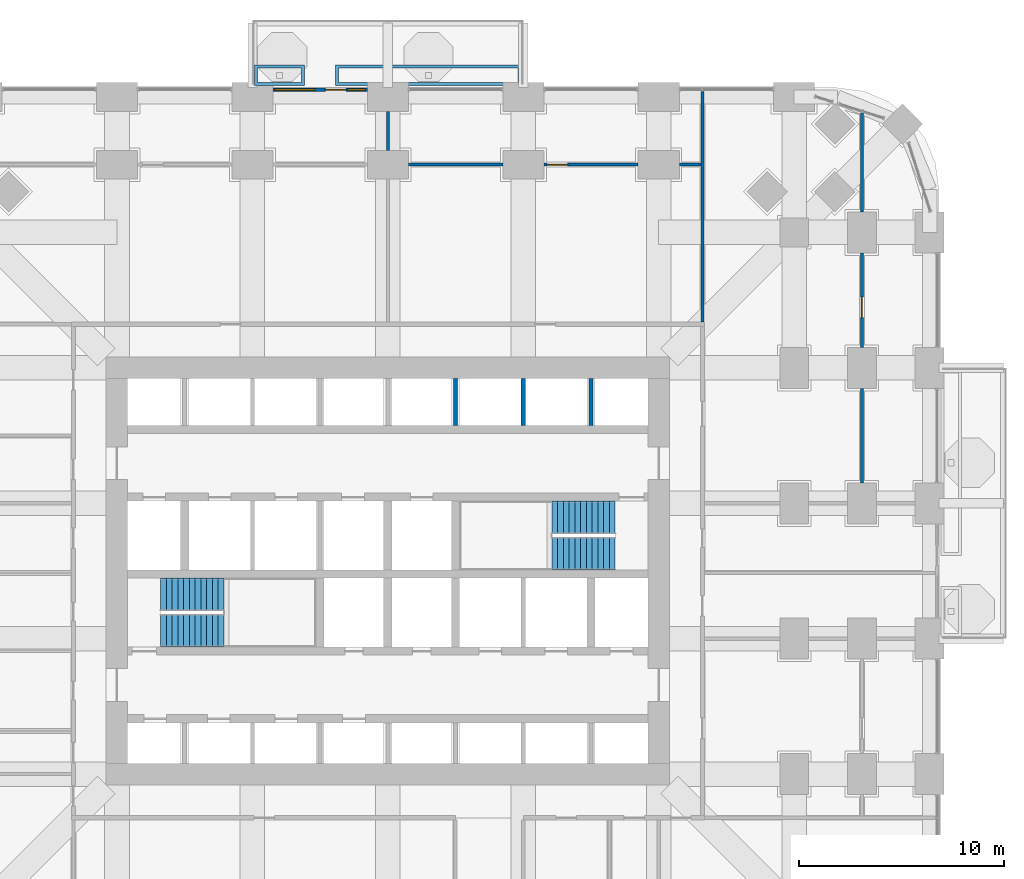
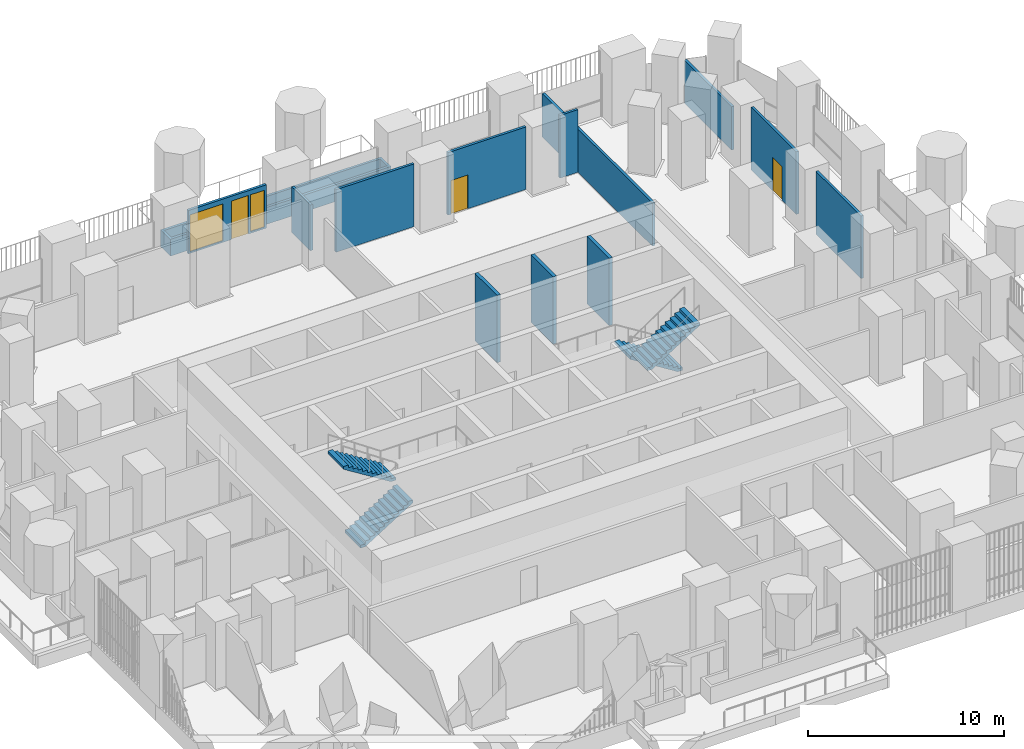
# One storey, part 19 of 24: 14 walls, 4 stair flights, 3 doors, 2 windows, 5 openings, 2 elements without a shape of their own.
"""IFC4 building model written with IfcOpenShell, lengths in metres."""

from ifc_helpers import new_model, si_unit, direction, frame, frame_2d, origin, place, context, subcontext, project, spatial, polyline, rectangle, outline, extrude, material, layer, layer_set, type_object, element, fill, aggregate, save


model = new_model("IFC4")

# Units and contexts
model_context = context("Model", 3, precision=1e-05, world=origin(), true_north=direction((0.0, 1.0)))
body_context = subcontext(model_context, "Body", "Model", "MODEL_VIEW")
ifc_project = project(units=[si_unit("LENGTHUNIT", "METRE"), si_unit("AREAUNIT", "SQUARE_METRE"), si_unit("VOLUMEUNIT", "CUBIC_METRE"), si_unit("PLANEANGLEUNIT", "RADIAN"), si_unit("MASSUNIT", "GRAM", prefix="KILO")], contexts=[model_context])

# Site, building, storey
site_placement = place(None, origin())
site = spatial("IfcSite", under=ifc_project, at=site_placement, CompositionType="ELEMENT")
building_placement = place(site_placement, origin())
building = spatial("IfcBuilding", under=site, at=building_placement, Name="Cobogo Forest Laboratory Tower", CompositionType="ELEMENT")
storey_placement = place(building_placement, frame((0.0, 0.0, 17.10009765625)))
storey = spatial("IfcBuildingStorey", under=building, at=storey_placement, Name="L03", CompositionType="ELEMENT", Elevation=17.10009765625)

# Wall, openings, door, windows
ifc_material_1 = material(Name="Aluminium framed glazed screen", Category="aluminium")
ifc_layer_1 = layer(ifc_material_1, 0.14990234375)
ifc_layer_set_1 = layer_set([ifc_layer_1], Name="GS1 glazed door screen 150")
wall_type_1 = type_object("IfcWallType", Name="GS1 glazed door screen 150", PredefinedType="SOLIDWALL", material=ifc_layer_set_1)
wall_1_placement = place(storey_placement, frame((25.39990234375, 46.550048828125, 0.0), z_axis=(0.0, 0.0, 1.0), x_axis=(-1.0, 0.0, 0.0)))
wall_1 = element("IfcWall", 1, at=wall_1_placement, inside=storey, type_object=wall_type_1, Name="Door screen BAL-N1 L03", PredefinedType="SOLIDWALL", context=body_context, shape_type="SweptSolid", body=[
    extrude(rectangle(XDim=4.599853515625, YDim=0.14990234375, at=frame_2d((2.2998046875, 0.0))), origin(), (0.0, 0.0, 1.0), 2.699951171875),
])
opening_1_placement = place(wall_1_placement, frame((1.050048828125, 0.0, 0.0)))
opening_1 = element("IfcOpeningElement", 2, at=opening_1_placement, cuts=wall_1, Name="Opening L03-D40", PredefinedType="OPENING", context=body_context, shape_type="SweptSolid", body=[
    extrude(rectangle(XDim=1.0, YDim=2.39990234375, at=frame_2d((0.5, 1.199951171875))), frame((0.0, 0.0849609375, 0.0), z_axis=(0.0, -1.0, 0.0), x_axis=(1.0, 0.0, 0.0)), (0.0, 0.0, 1.0), 0.169921875),
])
opening_2_placement = place(wall_1_placement, frame((0.10009765625, 0.0, 0.10009765625)))
opening_2 = element("IfcOpeningElement", 3, at=opening_2_placement, cuts=wall_1, Name="Opening L03-W08", PredefinedType="OPENING", context=body_context, shape_type="SweptSolid", body=[
    extrude(rectangle(XDim=0.85009765625, YDim=2.300048828125, at=frame_2d((0.425048828125, 1.14990234375))), frame((0.0, 0.0849609375, 0.0), z_axis=(0.0, -1.0, 0.0), x_axis=(1.0, 0.0, 0.0)), (0.0, 0.0, 1.0), 0.169921875),
])
opening_3_placement = place(wall_1_placement, frame((2.550048828125, 0.0, 0.10009765625)))
opening_3 = element("IfcOpeningElement", 4, at=opening_3_placement, cuts=wall_1, Name="Opening L03-W07", PredefinedType="OPENING", context=body_context, shape_type="SweptSolid", body=[
    extrude(rectangle(XDim=1.949951171875, YDim=2.300048828125, at=frame_2d((0.97509765625, 1.14990234375))), frame((0.0, 0.0849609375, 0.0), z_axis=(0.0, -1.0, 0.0), x_axis=(1.0, 0.0, 0.0)), (0.0, 0.0, 1.0), 0.169921875),
])
ifc_material_2 = material(Name="Aluminium glazed door", Category="aluminium")
door_type_1 = type_object("IfcDoorType", Name="DB1 balcony door 1000 glazed", OperationType="SINGLE_SWING_LEFT", PredefinedType="DOOR", material=ifc_material_2)
door_1_placement = place(opening_1_placement, origin())
door_1 = element("IfcDoor", 5, at=door_1_placement, inside=storey, type_object=door_type_1, Name="Door L03-BAL-N1", OperationType="SINGLE_SWING_LEFT", OverallHeight=2.39990234375, OverallWidth=1.0, PredefinedType="DOOR", context=body_context, shape_type="SweptSolid", body=[
    extrude(rectangle(XDim=1.0, YDim=2.39990234375, at=frame_2d((0.5, 1.199951171875))), frame((0.0, 0.02490234375, 0.0), z_axis=(0.0, -1.0, 0.0), x_axis=(1.0, 0.0, 0.0)), (0.0, 0.0, 1.0), 0.050048828125),
])
fill(opening_1, door_1)
ifc_material_3 = material(Name="Aluminium framed glazing", Category="aluminium")
window_type_1 = type_object("IfcWindowType", Name="WG1 fixed glazed light 1950x2300", PartitioningType="SINGLE_PANEL", PredefinedType="WINDOW", material=ifc_material_3)
window_1_placement = place(opening_3_placement, origin())
window_1 = element("IfcWindow", 6, at=window_1_placement, inside=storey, type_object=window_type_1, Name="Window L03-BAL-N1-2", OverallHeight=2.300048828125, OverallWidth=1.949951171875, PartitioningType="SINGLE_PANEL", PredefinedType="WINDOW", context=body_context, shape_type="SweptSolid", body=[
    extrude(rectangle(XDim=1.949951171875, YDim=2.300048828125, at=frame_2d((0.97509765625, 1.14990234375))), frame((0.0, 0.030029296875, 0.0), z_axis=(0.0, -1.0, 0.0), x_axis=(1.0, 0.0, 0.0)), (0.0, 0.0, 1.0), 0.06005859375),
])
fill(opening_3, window_1)
window_type_2 = type_object("IfcWindowType", Name="WG2 fixed glazed light 850x2300", PartitioningType="SINGLE_PANEL", PredefinedType="WINDOW", material=ifc_material_3)
window_2_placement = place(opening_2_placement, origin())
window_2 = element("IfcWindow", 7, at=window_2_placement, inside=storey, type_object=window_type_2, Name="Window L03-BAL-N1-1", OverallHeight=2.300048828125, OverallWidth=0.85009765625, PartitioningType="SINGLE_PANEL", PredefinedType="WINDOW", context=body_context, shape_type="SweptSolid", body=[
    extrude(rectangle(XDim=0.85009765625, YDim=2.300048828125, at=frame_2d((0.425048828125, 1.14990234375))), frame((0.0, 0.030029296875, 0.0), z_axis=(0.0, -1.0, 0.0), x_axis=(1.0, 0.0, 0.0)), (0.0, 0.0, 1.0), 0.06005859375),
])
fill(opening_2, window_2)

# Walls
ifc_material_4 = material(Name="Gypsum board on steel studs", Category="steel")
ifc_layer_2 = layer(ifc_material_4, 0.14990234375)
ifc_layer_set_2 = layer_set([ifc_layer_2], Name="PT1 laboratory partition 150")
wall_type_2 = type_object("IfcWallType", Name="PT1 laboratory partition 150", PredefinedType="PARTITIONING", material=ifc_layer_set_2)
wall_2_placement = place(storey_placement, frame((41.72509765625, 46.469970703125, 0.0), z_axis=(0.0, 0.0, 1.0), x_axis=(0.0, -1.0, 0.0)))
element("IfcWall", 8, at=wall_2_placement, inside=storey, type_object=wall_type_2, Name="Partition PW-NE L03", PredefinedType="PARTITIONING", context=body_context, shape_type="SweptSolid", body=[
    extrude(rectangle(XDim=11.244873046875, YDim=0.14990234375, at=frame_2d((5.62255859375, 0.0))), origin(), (0.0, 0.0, 1.0), 2.699951171875),
])
wall_3_placement = place(storey_placement, frame((49.5, 27.39990234375, 0.0), z_axis=(0.0, 0.0, 1.0), x_axis=(0.0, 1.0, 0.0)))
element("IfcWall", 9, at=wall_3_placement, inside=storey, type_object=wall_type_2, Name="Partition STRIP-E-3 L03", PredefinedType="PARTITIONING", context=body_context, shape_type="SweptSolid", body=[
    extrude(rectangle(XDim=4.60009765625, YDim=0.14990234375, at=frame_2d((2.300048828125, 0.0))), origin(), (0.0, 0.0, 1.0), 3.89990234375),
])

# Wall, opening, door
wall_4_placement = place(storey_placement, frame((49.5, 34.0, 0.0), z_axis=(0.0, 0.0, 1.0), x_axis=(0.0, 1.0, 0.0)))
wall_4 = element("IfcWall", 10, at=wall_4_placement, inside=storey, type_object=wall_type_2, Name="Partition STRIP-E-4 L03", PredefinedType="PARTITIONING", context=body_context, shape_type="SweptSolid", body=[
    extrude(rectangle(XDim=4.60009765625, YDim=0.14990234375, at=frame_2d((2.300048828125, 0.0))), origin(), (0.0, 0.0, 1.0), 3.89990234375),
])
opening_4_placement = place(wall_4_placement, frame((1.442138671875, 0.0, 0.0)))
opening_4 = element("IfcOpeningElement", 11, at=opening_4_placement, cuts=wall_4, Name="Opening L03-D37", PredefinedType="OPENING", context=body_context, shape_type="SweptSolid", body=[
    extrude(rectangle(XDim=1.0, YDim=2.10009765625, at=frame_2d((0.5, 1.050048828125))), frame((0.0, 0.0849609375, 0.0), z_axis=(0.0, -1.0, 0.0), x_axis=(1.0, 0.0, 0.0)), (0.0, 0.0, 1.0), 0.169921875),
])
ifc_material_5 = material(Name="Timber fire door", Category="wood")
door_type_2 = type_object("IfcDoorType", Name="FD2 fire door 1000 EI2 30", OperationType="SINGLE_SWING_LEFT", PredefinedType="DOOR", material=ifc_material_5)
door_2_placement = place(opening_4_placement, origin())
door_2 = element("IfcDoor", 12, at=door_2_placement, inside=storey, type_object=door_type_2, Name="Door L03-E2W", OperationType="SINGLE_SWING_LEFT", OverallHeight=2.10009765625, OverallWidth=1.0, PredefinedType="DOOR", context=body_context, shape_type="SweptSolid", body=[
    extrude(rectangle(XDim=1.0, YDim=2.10009765625, at=frame_2d((0.5, 1.050048828125))), frame((0.0, 0.02490234375, 0.0), z_axis=(0.0, -1.0, 0.0), x_axis=(1.0, 0.0, 0.0)), (0.0, 0.0, 1.0), 0.050048828125),
])
fill(opening_4, door_2)

# Walls
wall_5_placement = place(storey_placement, frame((49.5, 40.60009765625, 0.0), z_axis=(0.0, 0.0, 1.0), x_axis=(0.0, 1.0, 0.0)))
element("IfcWall", 13, at=wall_5_placement, inside=storey, type_object=wall_type_2, Name="Partition STRIP-E-5 L03", PredefinedType="PARTITIONING", context=body_context, shape_type="SweptSolid", body=[
    extrude(rectangle(XDim=4.823974609375, YDim=0.14990234375, at=frame_2d((2.412109375, 0.0))), origin(), (0.0, 0.0, 1.0), 2.699951171875),
])
wall_6_placement = place(storey_placement, frame((41.64990234375, 42.89990234375, 0.0), z_axis=(0.0, 0.0, 1.0), x_axis=(-1.0, 0.0, 0.0)))
element("IfcWall", 14, at=wall_6_placement, inside=storey, type_object=wall_type_2, Name="Partition STRIP-N-1 L03", PredefinedType="PARTITIONING", context=body_context, shape_type="SweptSolid", body=[
    extrude(rectangle(XDim=1.0498046875, YDim=0.14990234375, at=frame_2d((0.52490234375, 0.0))), origin(), (0.0, 0.0, 1.0), 3.89990234375),
])

# Wall, opening, door
wall_7_placement = place(storey_placement, frame((38.60009765625, 42.89990234375, 0.0), z_axis=(0.0, 0.0, 1.0), x_axis=(-1.0, 0.0, 0.0)))
wall_7 = element("IfcWall", 15, at=wall_7_placement, inside=storey, type_object=wall_type_2, Name="Partition STRIP-N-2 L03", PredefinedType="PARTITIONING", context=body_context, shape_type="SweptSolid", body=[
    extrude(rectangle(XDim=4.60009765625, YDim=0.14990234375, at=frame_2d((2.300048828125, 0.0))), origin(), (0.0, 0.0, 1.0), 3.89990234375),
])
opening_5_placement = place(wall_7_placement, frame((3.4375, 0.0, 0.0)))
opening_5 = element("IfcOpeningElement", 16, at=opening_5_placement, cuts=wall_7, Name="Opening L03-D39", PredefinedType="OPENING", context=body_context, shape_type="SweptSolid", body=[
    extrude(rectangle(XDim=1.0, YDim=2.10009765625, at=frame_2d((0.5, 1.050048828125))), frame((0.0, 0.0849609375, 0.0), z_axis=(0.0, -1.0, 0.0), x_axis=(1.0, 0.0, 0.0)), (0.0, 0.0, 1.0), 0.169921875),
])
door_3_placement = place(opening_5_placement, origin())
door_3 = element("IfcDoor", 17, at=door_3_placement, inside=storey, type_object=door_type_2, Name="Door L03-N2W", OperationType="SINGLE_SWING_RIGHT", OverallHeight=2.10009765625, OverallWidth=1.0, PredefinedType="DOOR", context=body_context, shape_type="SweptSolid", body=[
    extrude(rectangle(XDim=1.0, YDim=2.10009765625, at=frame_2d((0.5, 1.050048828125))), frame((0.0, 0.02490234375, 0.0), z_axis=(0.0, -1.0, 0.0), x_axis=(1.0, 0.0, 0.0)), (0.0, 0.0, 1.0), 0.050048828125),
])
fill(opening_5, door_3)

# Walls
wall_8_placement = place(storey_placement, frame((32.0, 42.89990234375, 0.0), z_axis=(0.0, 0.0, 1.0), x_axis=(-1.0, 0.0, 0.0)))
element("IfcWall", 18, at=wall_8_placement, inside=storey, type_object=wall_type_2, Name="Partition STRIP-N-3 L03", PredefinedType="PARTITIONING", context=body_context, shape_type="SweptSolid", body=[
    extrude(rectangle(XDim=4.60009765625, YDim=0.14990234375, at=frame_2d((2.300048828125, 0.0))), origin(), (0.0, 0.0, 1.0), 3.89990234375),
])
wall_9_placement = place(storey_placement, frame((26.39990234375, 45.5, 0.0), z_axis=(0.0, 0.0, 1.0), x_axis=(0.0, -1.0, 0.0)))
element("IfcWall", 19, at=wall_9_placement, inside=storey, type_object=wall_type_2, Name="Partition CUT-N26.4a-1 L03", PredefinedType="PARTITIONING", context=body_context, shape_type="SweptSolid", body=[
    extrude(rectangle(XDim=1.89990234375, YDim=0.14990234375, at=frame_2d((0.949951171875, 0.0))), origin(), (0.0, 0.0, 1.0), 2.849853515625),
])
ifc_material_6 = material(Name="Concrete HA-40 (C40/50)", Category="concrete")
ifc_layer_3 = layer(ifc_material_6, 0.14990234375)
ifc_layer_set_3 = layer_set([ifc_layer_3], Name="Planter box 1000x1050")
wall_type_3 = type_object("IfcWallType", Name="Planter box 1000x1050", PredefinedType="USERDEFINED", material=ifc_layer_set_3)
wall_10_placement = place(storey_placement, origin())
element("IfcWall", 20, at=wall_10_placement, inside=storey, type_object=wall_type_3, Name="Planter BAL-N1-1 L03", ObjectType="PLANTER", PredefinedType="USERDEFINED", context=body_context, shape_type="SweptSolid", body=[
    extrude(outline(polyline([(19.89990234375, 46.75), (22.35009765625, 46.75), (22.35009765625, 47.75), (19.89990234375, 47.75), (19.89990234375, 46.75)]), holes=[polyline([(20.050048828125, 46.89990234375), (22.199951171875, 46.89990234375), (22.199951171875, 47.60009765625), (20.050048828125, 47.60009765625), (20.050048828125, 46.89990234375)])]), origin(), (0.0, 0.0, 1.0), 1.0498046875),
])
wall_11_placement = place(storey_placement, origin())
element("IfcWall", 21, at=wall_11_placement, inside=storey, type_object=wall_type_3, Name="Planter BAL-N1-2 L03", ObjectType="PLANTER", PredefinedType="USERDEFINED", context=body_context, shape_type="SweptSolid", body=[
    extrude(outline(polyline([(23.85009765625, 46.75), (32.89990234375, 46.75), (32.89990234375, 47.75), (23.85009765625, 47.75), (23.85009765625, 46.75)]), holes=[polyline([(24.0, 46.89990234375), (32.75, 46.89990234375), (32.75, 47.60009765625), (24.0, 47.60009765625), (24.0, 46.89990234375)])]), origin(), (0.0, 0.0, 1.0), 1.0498046875),
])
ifc_material_7 = material(Name="Concrete block", Category="concrete")
ifc_layer_4 = layer(ifc_material_7, 0.199951171875)
ifc_layer_set_4 = layer_set([ifc_layer_4], Name="SW200 lift shaft separator 200")
wall_type_4 = type_object("IfcWallType", Name="SW200 lift shaft separator 200", PredefinedType="PARTITIONING", material=ifc_layer_set_4)
for number, where, z_axis, x_axis, name in (
    (22, (29.699951171875, 30.199951171875, 0.0), (0.0, 0.0, 1.0), (0.0, 1.0, 0.0), "Core wall SEP-N5 L03"),
    (23, (33.0, 30.199951171875, 0.0), (0.0, 0.0, 1.0), (0.0, 1.0, 0.0), "Core wall SEP-N6 L03"),
    (24, (36.300048828125, 30.199951171875, 0.0), (0.0, 0.0, 1.0), (0.0, 1.0, 0.0), "Core wall SEP-N7 L03"),
):
    element("IfcWall", number, at=place(storey_placement, frame(where, z_axis=z_axis, x_axis=x_axis)), inside=storey, type_object=wall_type_4, Name=name, PredefinedType="PARTITIONING", context=body_context, shape_type="SweptSolid", body=[
        extrude(rectangle(XDim=2.275146484375, YDim=0.199951171875, at=frame_2d((1.1376953125, 0.0))), origin(), (0.0, 0.0, 1.0), 4.199951171875),
    ])

# Stair, stair flights
ifc_material_8 = material(Name="Precast concrete HA-40 (C40/50)", Category="concrete")
stair_type = type_object("IfcStairType", Name="ST24 exit stair 24 risers", PredefinedType="HALF_TURN_STAIR", material=ifc_material_8)
stair_1_placement = place(storey_placement, origin())
stair_1 = element("IfcStair", 25, at=stair_1_placement, inside=storey, type_object=stair_type, Name="Stair 1 L03 to L04", PredefinedType="HALF_TURN_STAIR")
stair_flight_type = type_object("IfcStairFlightType", Name="ST stair flight 280 going", PredefinedType="STRAIGHT", material=ifc_material_8)
stair_flight_1_placement = place(storey_placement, frame((15.324951171875, 20.199951171875, 0.0), z_axis=(0.0, 0.0, 1.0), x_axis=(1.0, 0.0, 0.0)))
stair_flight_1 = element("IfcStairFlight", 26, at=stair_flight_1_placement, type_object=stair_flight_type, Name="ST1 flight 1", NumberOfRisers=12, NumberOfTreads=11, PredefinedType="STRAIGHT", RiserHeight=0.175, TreadLength=0.28, context=body_context, shape_type="SweptSolid", body=[
    extrude(outline(polyline([(0.0, 0.0), (0.0, 0.175048828125), (0.280029296875, 0.175048828125), (0.280029296875, 0.35009765625), (0.56005859375, 0.35009765625), (0.56005859375, 0.52490234375), (0.840087890625, 0.52490234375), (0.840087890625, 0.699951171875), (1.1201171875, 0.699951171875), (1.1201171875, 0.875), (1.39990234375, 0.875), (1.39990234375, 1.050048828125), (1.679931640625, 1.050048828125), (1.679931640625, 1.22509765625), (1.9599609375, 1.22509765625), (1.9599609375, 1.39990234375), (2.239990234375, 1.39990234375), (2.239990234375, 1.574951171875), (2.52001953125, 1.574951171875), (2.52001953125, 1.75), (2.800048828125, 1.75), (2.800048828125, 1.925048828125), (3.080078125, 1.925048828125), (3.080078125, 2.10009765625), (3.080078125, 1.748291015625), (0.28271484375, 0.0), (0.0, 0.0)])), frame((0.0, 0.800048828125, 0.0), z_axis=(0.0, -1.0, 0.0), x_axis=(1.0, 0.0, 0.0)), (0.0, 0.0, 1.0), 1.60009765625),
])
stair_flight_2_placement = place(storey_placement, frame((18.405029296875, 21.949951171875, 2.099853515625), z_axis=(0.0, 0.0, 1.0), x_axis=(-1.0, 0.0, 0.0)))
stair_flight_2 = element("IfcStairFlight", 27, at=stair_flight_2_placement, type_object=stair_flight_type, Name="ST1 flight 2", NumberOfRisers=12, NumberOfTreads=11, PredefinedType="STRAIGHT", RiserHeight=0.175, TreadLength=0.28, context=body_context, shape_type="SweptSolid", body=[
    extrude(outline(polyline([(0.0, 0.0), (0.0, 0.175048828125), (0.280029296875, 0.175048828125), (0.280029296875, 0.35009765625), (0.56005859375, 0.35009765625), (0.56005859375, 0.52490234375), (0.840087890625, 0.52490234375), (0.840087890625, 0.699951171875), (1.1201171875, 0.699951171875), (1.1201171875, 0.875), (1.39990234375, 0.875), (1.39990234375, 1.050048828125), (1.679931640625, 1.050048828125), (1.679931640625, 1.22509765625), (1.9599609375, 1.22509765625), (1.9599609375, 1.39990234375), (2.239990234375, 1.39990234375), (2.239990234375, 1.574951171875), (2.52001953125, 1.574951171875), (2.52001953125, 1.75), (2.800048828125, 1.75), (2.800048828125, 1.925048828125), (3.080078125, 1.925048828125), (3.080078125, 2.10009765625), (3.080078125, 1.748291015625), (0.28271484375, 0.0), (0.0, 0.0)])), frame((0.0, 0.800048828125, 0.0), z_axis=(0.0, -1.0, 0.0), x_axis=(1.0, 0.0, 0.0)), (0.0, 0.0, 1.0), 1.60009765625),
])
aggregate(stair_1, [stair_flight_1, stair_flight_2])

stair_2_placement = place(storey_placement, origin())
stair_2 = element("IfcStair", 28, at=stair_2_placement, inside=storey, type_object=stair_type, Name="Stair 2 L03 to L04", PredefinedType="HALF_TURN_STAIR")
stair_flight_3_placement = place(storey_placement, frame((37.47509765625, 25.699951171875, 0.0), z_axis=(0.0, 0.0, 1.0), x_axis=(-1.0, 0.0, 0.0)))
stair_flight_3 = element("IfcStairFlight", 29, at=stair_flight_3_placement, type_object=stair_flight_type, Name="ST2 flight 1", NumberOfRisers=12, NumberOfTreads=11, PredefinedType="STRAIGHT", RiserHeight=0.175, TreadLength=0.28, context=body_context, shape_type="SweptSolid", body=[
    extrude(outline(polyline([(0.0, 0.0), (0.0, 0.175048828125), (0.280029296875, 0.175048828125), (0.280029296875, 0.35009765625), (0.56005859375, 0.35009765625), (0.56005859375, 0.52490234375), (0.840087890625, 0.52490234375), (0.840087890625, 0.699951171875), (1.1201171875, 0.699951171875), (1.1201171875, 0.875), (1.39990234375, 0.875), (1.39990234375, 1.050048828125), (1.679931640625, 1.050048828125), (1.679931640625, 1.22509765625), (1.9599609375, 1.22509765625), (1.9599609375, 1.39990234375), (2.239990234375, 1.39990234375), (2.239990234375, 1.574951171875), (2.52001953125, 1.574951171875), (2.52001953125, 1.75), (2.800048828125, 1.75), (2.800048828125, 1.925048828125), (3.080078125, 1.925048828125), (3.080078125, 2.10009765625), (3.080078125, 1.748291015625), (0.28271484375, 0.0), (0.0, 0.0)])), frame((0.0, 0.800048828125, 0.0), z_axis=(0.0, -1.0, 0.0), x_axis=(1.0, 0.0, 0.0)), (0.0, 0.0, 1.0), 1.60009765625),
])
stair_flight_4_placement = place(storey_placement, frame((34.39501953125, 23.949951171875, 2.099853515625), z_axis=(0.0, 0.0, 1.0), x_axis=(1.0, 0.0, 0.0)))
stair_flight_4 = element("IfcStairFlight", 30, at=stair_flight_4_placement, type_object=stair_flight_type, Name="ST2 flight 2", NumberOfRisers=12, NumberOfTreads=11, PredefinedType="STRAIGHT", RiserHeight=0.175, TreadLength=0.28, context=body_context, shape_type="SweptSolid", body=[
    extrude(outline(polyline([(0.0, 0.0), (0.0, 0.175048828125), (0.280029296875, 0.175048828125), (0.280029296875, 0.35009765625), (0.56005859375, 0.35009765625), (0.56005859375, 0.52490234375), (0.840087890625, 0.52490234375), (0.840087890625, 0.699951171875), (1.1201171875, 0.699951171875), (1.1201171875, 0.875), (1.39990234375, 0.875), (1.39990234375, 1.050048828125), (1.679931640625, 1.050048828125), (1.679931640625, 1.22509765625), (1.9599609375, 1.22509765625), (1.9599609375, 1.39990234375), (2.239990234375, 1.39990234375), (2.239990234375, 1.574951171875), (2.52001953125, 1.574951171875), (2.52001953125, 1.75), (2.800048828125, 1.75), (2.800048828125, 1.925048828125), (3.080078125, 1.925048828125), (3.080078125, 2.10009765625), (3.080078125, 1.748291015625), (0.28271484375, 0.0), (0.0, 0.0)])), frame((0.0, 0.800048828125, 0.0), z_axis=(0.0, -1.0, 0.0), x_axis=(1.0, 0.0, 0.0)), (0.0, 0.0, 1.0), 1.60009765625),
])
aggregate(stair_2, [stair_flight_3, stair_flight_4])

save(model, "model.ifc")
